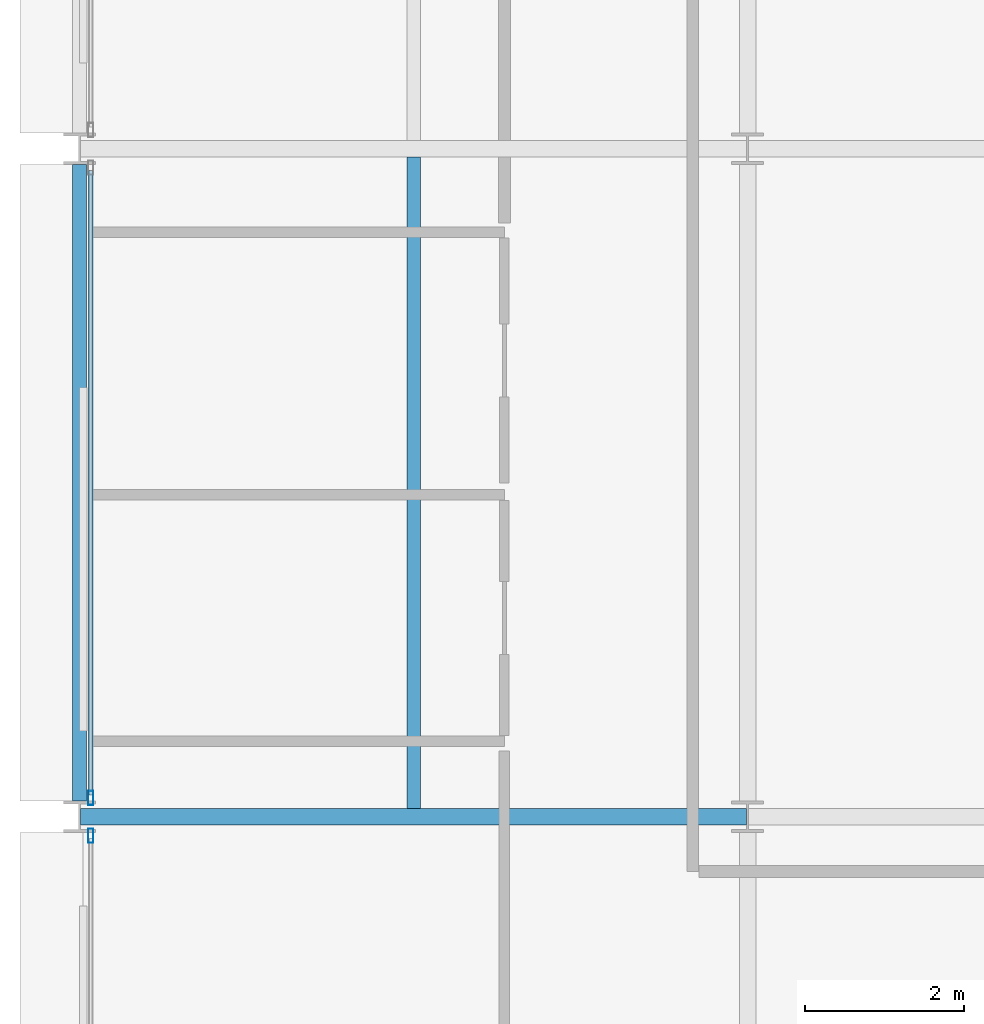
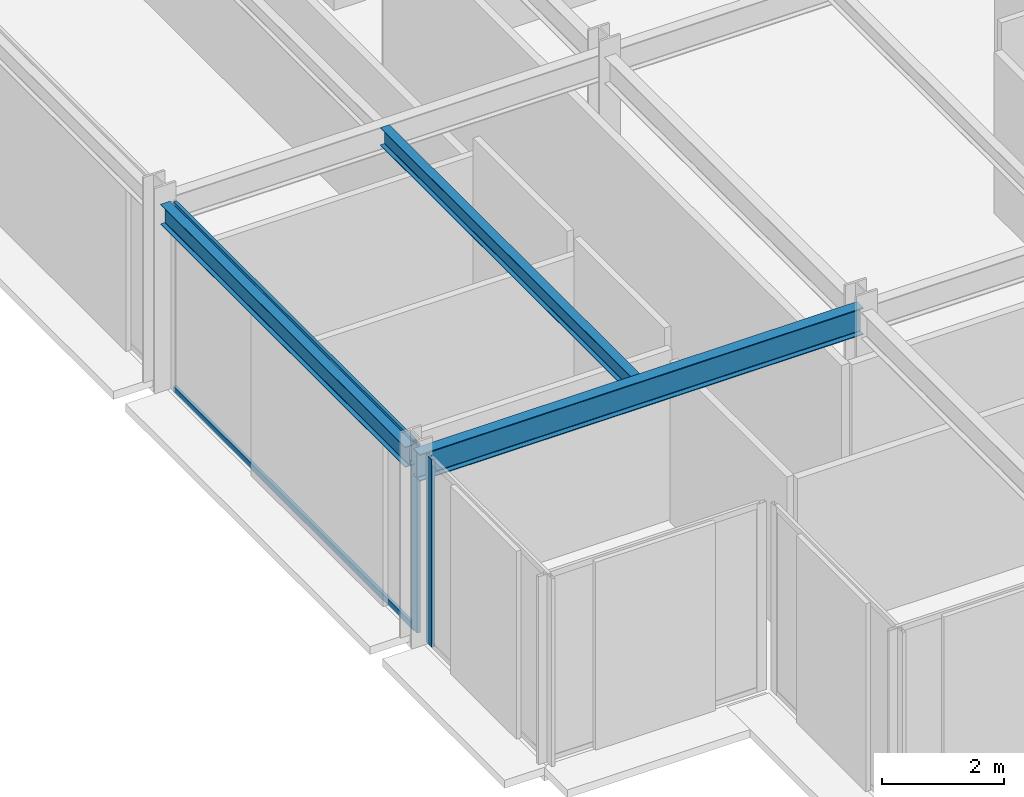
# One storey, part 6 of 40: 4 members, 3 beams, 2 elements without a shape of their own.
"""IFC4 building model written with IfcOpenShell, lengths in metres."""

from ifc_helpers import new_model, si_unit, direction, frame, origin, origin_2d, place, context, subcontext, project, spatial, hollow_rectangle, i_section, extrude, material, layer, layer_set, material_profile, profile_set, type_object, element, aggregate, save


model = new_model("IFC4")

# Units and contexts
model_context = context("Model", 3, precision=1e-05, world=origin(), true_north=direction((0.0, 1.0)))
body_context = subcontext(model_context, "Body", "Model", "MODEL_VIEW")
ifc_project = project(units=[si_unit("LENGTHUNIT", "METRE"), si_unit("AREAUNIT", "SQUARE_METRE"), si_unit("VOLUMEUNIT", "CUBIC_METRE"), si_unit("PLANEANGLEUNIT", "RADIAN"), si_unit("MASSUNIT", "GRAM", prefix="KILO")], contexts=[model_context])

# Site, building, storey
site_placement = place(None, origin())
site = spatial("IfcSite", under=ifc_project, at=site_placement, CompositionType="ELEMENT")
building_placement = place(site_placement, origin())
building = spatial("IfcBuilding", under=site, at=building_placement, Name="Nerrivon Quay Data Exchange", CompositionType="ELEMENT")
storey_placement = place(building_placement, frame((0.0, 0.0, 109.0)))
storey = spatial("IfcBuildingStorey", under=building, at=storey_placement, Name="L25", CompositionType="ELEMENT", Elevation=109.0)

# Beams
ifc_material_1 = material(Name="Steel Grade 350", Category="steel")
ifc_material_profile_1 = material_profile(ifc_material_1, i_section(OverallWidth=0.208984375, OverallDepth=0.532958984375, WebThickness=0.01025390625, FlangeThickness=0.015625, FilletRadius=0.013916015625, at=origin_2d()), Name="530UB92.4")
ifc_profile_set_1 = profile_set([ifc_material_profile_1], Name="Steel Grade 350")
beam_type_1 = type_object("IfcBeamType", Name="BM-G3-530UB92", PredefinedType="BEAM", material=ifc_profile_set_1)
beam_1_placement = place(storey_placement, frame((0.012451171875, 8.39990234375, 3.4833984375), z_axis=(1.0, 0.0, 0.0), x_axis=(0.0, 1.0, 0.0)))
element("IfcBeam", 1, at=beam_1_placement, inside=storey, type_object=beam_type_1, Name="L25 EW Girder Y=8.4 (0.0..8.4)", PredefinedType="BEAM", context=body_context, shape_type="SweptSolid", body=[
    extrude(i_section(OverallWidth=0.208984375, OverallDepth=0.532958984375, WebThickness=0.01025390625, FlangeThickness=0.015625, FilletRadius=0.013916015625, at=origin_2d()), origin(), (0.0, 0.0, 1.0), 8.375),
])
ifc_material_profile_2 = material_profile(ifc_material_1, i_section(OverallWidth=0.1708984375, OverallDepth=0.35595703125, WebThickness=0.00732421875, FlangeThickness=0.011474609375, FilletRadius=0.011474609375, at=origin_2d()), Name="360UB50.7")
ifc_profile_set_2 = profile_set([ifc_material_profile_2], Name="Steel Grade 350")
beam_type_2 = type_object("IfcBeamType", Name="BM-J4-360UB51", PredefinedType="JOIST", material=ifc_profile_set_2)
beam_2_placement = place(storey_placement, frame((4.199951171875, 8.50439453125, 3.572021484375), z_axis=(0.0, 1.0, 0.0), x_axis=(-1.0, 0.0, 0.0)))
element("IfcBeam", 2, at=beam_2_placement, inside=storey, type_object=beam_type_2, Name="L25 Secondary Joist X=4.2 (8.4..16.8)", PredefinedType="JOIST", context=body_context, shape_type="SweptSolid", body=[
    extrude(i_section(OverallWidth=0.1708984375, OverallDepth=0.35595703125, WebThickness=0.00732421875, FlangeThickness=0.011474609375, FilletRadius=0.011474609375, at=origin_2d()), origin(), (0.0, 0.0, 1.0), 8.191162109375),
])
ifc_material_profile_3 = material_profile(ifc_material_1, i_section(OverallWidth=0.177978515625, OverallDepth=0.403076171875, WebThickness=0.007568359375, FlangeThickness=0.010986328125, FilletRadius=0.011474609375, at=origin_2d()), Name="410UB53.7")
ifc_profile_set_3 = profile_set([ifc_material_profile_3], Name="Steel Grade 350")
beam_type_3 = type_object("IfcBeamType", Name="BM-SP2-410UB54", PredefinedType="SPANDREL", material=ifc_profile_set_3)
beam_3_placement = place(storey_placement, frame((0.0, 8.60009765625, 3.548583984375), z_axis=(0.0, 1.0, 0.0), x_axis=(-1.0, 0.0, 0.0)))
element("IfcBeam", 3, at=beam_3_placement, inside=storey, type_object=beam_type_3, Name="L25 NS Girder X=0.0 (8.4..16.8)", PredefinedType="SPANDREL", context=body_context, shape_type="SweptSolid", body=[
    extrude(i_section(OverallWidth=0.177978515625, OverallDepth=0.403076171875, WebThickness=0.007568359375, FlangeThickness=0.010986328125, FilletRadius=0.011474609375, at=origin_2d()), origin(), (0.0, 0.0, 1.0), 8.0),
])

# Curtain wall, member
ifc_material_2 = material(Name="Anodised aluminium 6063-T6", Category="aluminium")
ifc_layer = layer(ifc_material_2, 0.2099609375)
ifc_layer_set = layer_set([ifc_layer], Name="Anodised aluminium 6063-T6")
curtain_wall_type = type_object("IfcCurtainWallType", Name="CW-SYS-02", PredefinedType="NOTDEFINED", material=ifc_layer_set)
curtain_wall_1_placement = place(storey_placement, origin())
curtain_wall_1 = element("IfcCurtainWall", 4, at=curtain_wall_1_placement, inside=storey, type_object=curtain_wall_type, Name="L25 Unitised Curtain Wall 17", PredefinedType="NOTDEFINED")
ifc_material_profile_4 = material_profile(ifc_material_2, hollow_rectangle(XDim=0.06494140625, YDim=0.179931640625, WallThickness=0.00341796875, at=origin_2d()), Name="ALU-MULL-180x65")
ifc_profile_set_4 = profile_set([ifc_material_profile_4], Name="Anodised aluminium 6063-T6")
member_type_1 = type_object("IfcMemberType", Name="CWM-180x65", PredefinedType="MULLION", material=ifc_profile_set_4)
member_1_placement = place(storey_placement, frame((0.139892578125, 8.16259765625, 0.0), z_axis=(0.0, 0.0, 1.0), x_axis=(-1.0, 0.0, 0.0)))
member_1 = element("IfcMember", 5, at=member_1_placement, type_object=member_type_1, Name="CW02 mullion 2", PredefinedType="MULLION", context=body_context, shape_type="SweptSolid", body=[
    extrude(hollow_rectangle(XDim=0.06494140625, YDim=0.179931640625, WallThickness=0.00341796875, at=origin_2d()), origin(), (0.0, 0.0, 1.0), 3.75),
])
aggregate(curtain_wall_1, [member_1])

# Curtain wall, members
curtain_wall_2_placement = place(storey_placement, origin())
curtain_wall_2 = element("IfcCurtainWall", 6, at=curtain_wall_2_placement, inside=storey, type_object=curtain_wall_type, Name="L25 Unitised Curtain Wall 18", PredefinedType="NOTDEFINED")
member_2_placement = place(storey_placement, frame((0.139892578125, 8.637451171875, 0.0), z_axis=(0.0, 0.0, 1.0), x_axis=(-1.0, 0.0, 0.0)))
member_2 = element("IfcMember", 7, at=member_2_placement, type_object=member_type_1, Name="CW02 mullion 1", PredefinedType="MULLION", context=body_context, shape_type="SweptSolid", body=[
    extrude(hollow_rectangle(XDim=0.06494140625, YDim=0.179931640625, WallThickness=0.00341796875, at=origin_2d()), origin(), (0.0, 0.0, 1.0), 3.75),
])
ifc_material_profile_5 = material_profile(ifc_material_2, hollow_rectangle(XDim=0.06005859375, YDim=0.1201171875, WallThickness=0.003173828125, at=origin_2d()), Name="ALU-TRAN-120x60")
ifc_profile_set_5 = profile_set([ifc_material_profile_5], Name="Anodised aluminium 6063-T6")
member_type_2 = type_object("IfcMemberType", Name="CWT-120x60", PredefinedType="USERDEFINED", material=ifc_profile_set_5)
member_3_placement = place(storey_placement, frame((0.139892578125, 8.675048828125, 0.032470703125), z_axis=(0.0, 1.0, 0.0), x_axis=(-1.0, 0.0, 0.0)))
member_3 = element("IfcMember", 8, at=member_3_placement, type_object=member_type_2, Name="CW02 transom 1.1", ObjectType="TRANSOM", PredefinedType="USERDEFINED", context=body_context, shape_type="SweptSolid", body=[
    extrude(hollow_rectangle(XDim=0.06005859375, YDim=0.1201171875, WallThickness=0.003173828125, at=origin_2d()), origin(), (0.0, 0.0, 1.0), 7.849853515625),
])
member_4_placement = place(storey_placement, frame((0.139892578125, 8.675048828125, 3.717529296875), z_axis=(0.0, 1.0, 0.0), x_axis=(-1.0, 0.0, 0.0)))
member_4 = element("IfcMember", 9, at=member_4_placement, type_object=member_type_2, Name="CW02 transom 1.2", ObjectType="TRANSOM", PredefinedType="USERDEFINED", context=body_context, shape_type="SweptSolid", body=[
    extrude(hollow_rectangle(XDim=0.06005859375, YDim=0.1201171875, WallThickness=0.003173828125, at=origin_2d()), origin(), (0.0, 0.0, 1.0), 7.849853515625),
])
aggregate(curtain_wall_2, [member_2, member_3, member_4])

save(model, "model.ifc")
